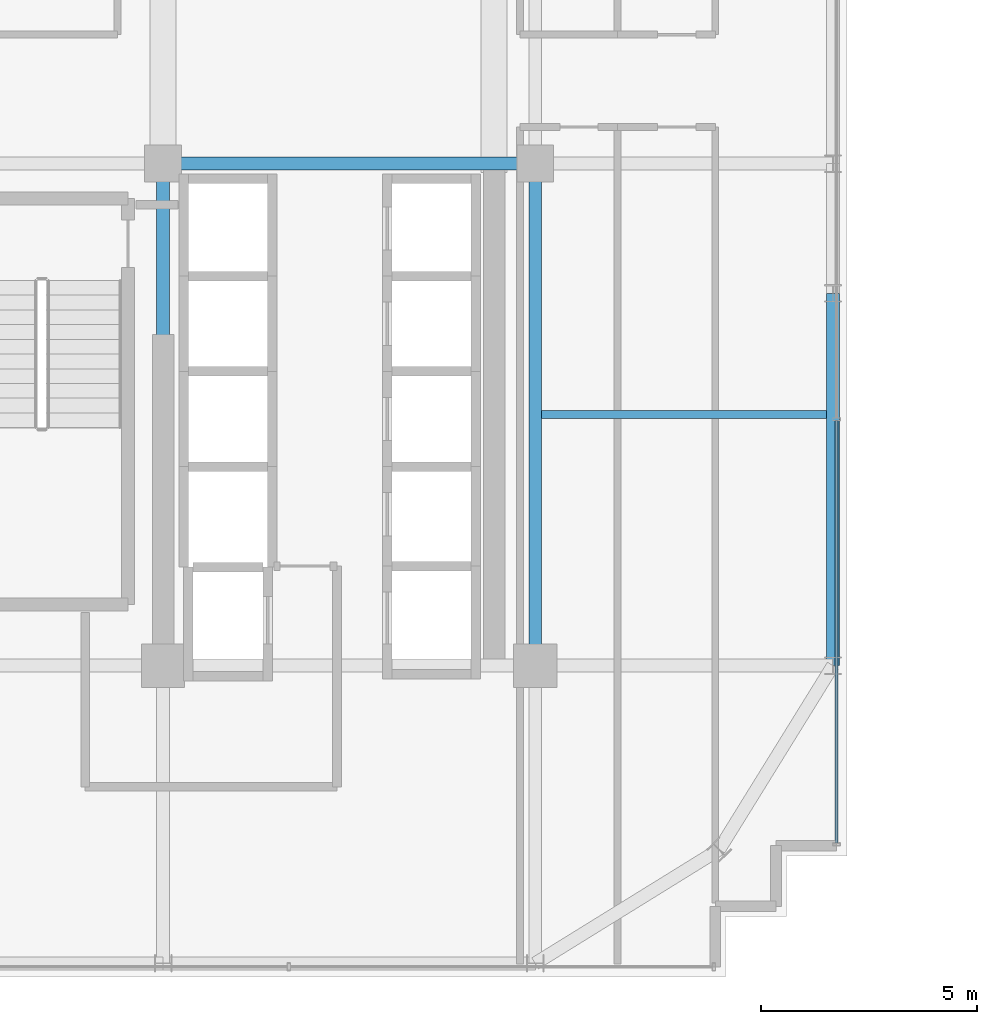
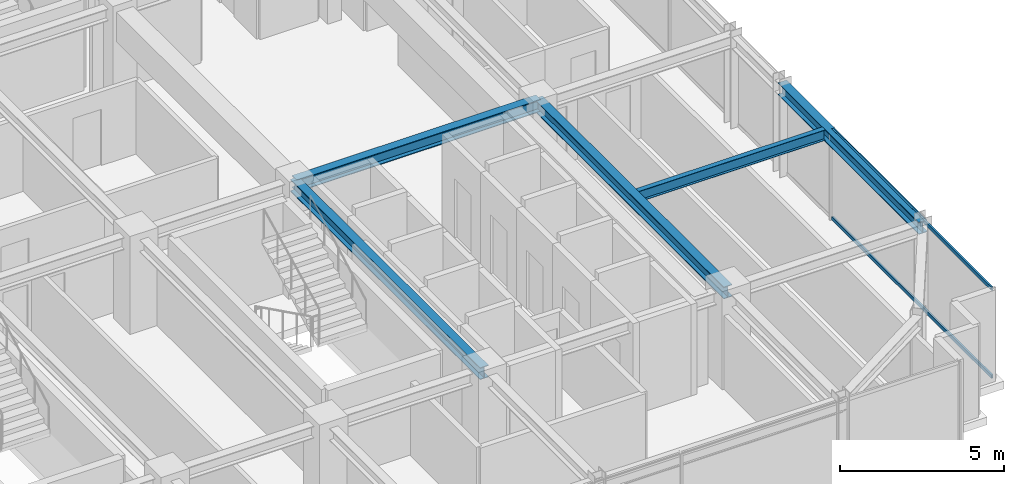
# One storey, part 14 of 36: 5 beams, 2 members, 1 element without a shape of its own.
"""IFC4 building model written with IfcOpenShell, lengths in metres."""

from ifc_helpers import new_model, si_unit, direction, frame, origin, origin_2d, place, context, subcontext, project, spatial, hollow_rectangle, i_section, extrude, source, transform, mapped, material, material_profile, profile_set, type_object, element, aggregate, save


model = new_model("IFC4")

# Units and contexts
model_context = context("Model", 3, precision=1e-05, world=origin(), true_north=direction((0.0, 1.0)))
body_context = subcontext(model_context, "Body", "Model", "MODEL_VIEW")
ifc_project = project(units=[si_unit("LENGTHUNIT", "METRE"), si_unit("AREAUNIT", "SQUARE_METRE"), si_unit("VOLUMEUNIT", "CUBIC_METRE"), si_unit("PLANEANGLEUNIT", "RADIAN"), si_unit("MASSUNIT", "GRAM", prefix="KILO")], contexts=[model_context])

# Site, building, storey
site_placement = place(None, origin())
site = spatial("IfcSite", under=ifc_project, at=site_placement, CompositionType="ELEMENT")
building_placement = place(site_placement, origin())
building = spatial("IfcBuilding", under=site, at=building_placement, Name="Nahalor Promenade Grand Hotel", CompositionType="ELEMENT")
storey_placement = place(building_placement, frame((0.0, 0.0, 223.39990234375)))
storey = spatial("IfcBuildingStorey", under=building, at=storey_placement, Name="L57", CompositionType="ELEMENT", Elevation=223.39990234375)

# Beams
ifc_material_1 = material(Name="Steel S355JR", Category="steel")
ifc_material_profile_1 = material_profile(ifc_material_1, i_section(OverallWidth=0.3, OverallDepth=0.45, WebThickness=0.014, FlangeThickness=0.026, at=origin_2d()), Name="HEB 450")
ifc_profile_set_1 = profile_set([ifc_material_profile_1], Name="Steel S355JR")
beam_type_1 = type_object("IfcBeamType", Name="Beam-Spandrel-HEB450", PredefinedType="SPANDREL", material=ifc_profile_set_1)
shared_shape_1 = source(origin(), body_context, "Body", "SweptSolid", [
    extrude(i_section(OverallWidth=0.3, OverallDepth=0.45, WebThickness=0.014, FlangeThickness=0.026, at=origin_2d()), origin(), (0.0, 0.0, 1.0), 8.60009765625),
])
beam_1_placement = place(storey_placement, frame((23.8798828125, -17.0, 3.18505859375), z_axis=(0.0, 1.0, 0.0), x_axis=(-1.0, 0.0, 0.0)))
element("IfcBeam", 1, at=beam_1_placement, inside=storey, type_object=beam_type_1, Name="BM-L57-SP-E-0", PredefinedType="SPANDREL", context=body_context, shape_type="MappedRepresentation", body=[
    mapped(shared_shape_1, transform((0.0, 0.0, 0.0), scale=1.0)),
])
ifc_material_profile_2 = material_profile(ifc_material_1, i_section(OverallWidth=0.3, OverallDepth=0.45, WebThickness=0.014, FlangeThickness=0.026, at=origin_2d()), Name="HEB 450")
ifc_profile_set_2 = profile_set([ifc_material_profile_2], Name="Steel S355JR")
beam_type_2 = type_object("IfcBeamType", Name="Beam-Girder-HEB450", PredefinedType="BEAM", material=ifc_profile_set_2)
shared_shape_2 = source(origin(), body_context, "Body", "SweptSolid", [
    extrude(i_section(OverallWidth=0.3, OverallDepth=0.45, WebThickness=0.014, FlangeThickness=0.026, at=origin_2d()), origin(), (0.0, 0.0, 1.0), 8.60009765625),
])
beam_2_placement = place(storey_placement, frame((8.39990234375, -5.39990234375, 3.18505859375), z_axis=(1.0, 0.0, 0.0), x_axis=(0.0, 1.0, 0.0)))
element("IfcBeam", 2, at=beam_2_placement, inside=storey, type_object=beam_type_2, Name="BM-L57-GX-1-5", PredefinedType="BEAM", context=body_context, shape_type="MappedRepresentation", body=[
    mapped(shared_shape_2, transform((0.0, 0.0, 0.0), scale=1.0)),
])
shared_shape_3 = source(origin(), body_context, "Body", "SweptSolid", [
    extrude(i_section(OverallWidth=0.3, OverallDepth=0.45, WebThickness=0.014, FlangeThickness=0.026, at=origin_2d()), origin(), (0.0, 0.0, 1.0), 11.60009765625),
])
for number, where, z_axis, x_axis, name in (
    (3, (8.39990234375, -17.0, 3.18505859375), (0.0, 1.0, 0.0), (-1.0, 0.0, 0.0), "BM-L57-GY-4-1"),
    (4, (17.0, -17.0, 3.18505859375), (0.0, 1.0, 0.0), (-1.0, 0.0, 0.0), "BM-L57-GY-5-1"),
):
    element("IfcBeam", number, at=place(storey_placement, frame(where, z_axis=z_axis, x_axis=x_axis)), inside=storey, type_object=beam_type_2, Name=name, PredefinedType="BEAM", context=body_context, shape_type="MappedRepresentation", body=[
        mapped(shared_shape_3, transform((0.0, 0.0, 0.0), scale=1.0)),
    ])
ifc_material_profile_3 = material_profile(ifc_material_1, i_section(OverallWidth=0.18, OverallDepth=0.4, WebThickness=0.0086, FlangeThickness=0.0135, at=origin_2d()), Name="IPE 400")
ifc_profile_set_3 = profile_set([ifc_material_profile_3], Name="Steel S355JR")
beam_type_3 = type_object("IfcBeamType", Name="Beam-Joist-IPE400", PredefinedType="JOIST", material=ifc_profile_set_3)
shared_shape_4 = source(origin(), body_context, "Body", "SweptSolid", [
    extrude(i_section(OverallWidth=0.18, OverallDepth=0.4, WebThickness=0.0086, FlangeThickness=0.0135, at=origin_2d()), origin(), (0.0, 0.0, 1.0), 6.580078125),
])
beam_3_placement = place(storey_placement, frame((17.14990234375, -11.199951171875, 3.210205078125), z_axis=(1.0, 0.0, 0.0), x_axis=(0.0, 1.0, 0.0)))
element("IfcBeam", 5, at=beam_3_placement, inside=storey, type_object=beam_type_3, Name="BM-L57-JSE-0-2", PredefinedType="JOIST", context=body_context, shape_type="MappedRepresentation", body=[
    mapped(shared_shape_4, transform((0.0, 0.0, 0.0), scale=1.0)),
])

# Curtain wall, members
ifc_material_2 = material(Name="Anodised Bronze Aluminium EN AW-6063 T6", Category="aluminium")
curtain_wall_type = type_object("IfcCurtainWallType", Name="CW2 Typical Hotel Flush Bronze Unitised Curtain Wall", PredefinedType="USERDEFINED", material=ifc_material_2)
curtain_wall_placement = place(storey_placement, origin())
curtain_wall = element("IfcCurtainWall", 6, at=curtain_wall_placement, inside=storey, type_object=curtain_wall_type, Name="L57 Curtain Wall CW-L57-E-1", ObjectType="UNITISED_CURTAIN_WALL", PredefinedType="USERDEFINED")
ifc_material_profile_4 = material_profile(ifc_material_2, hollow_rectangle(XDim=0.065, YDim=0.13, WallThickness=0.004, at=origin_2d()), Name="CWT 65x130x4")
ifc_profile_set_4 = profile_set([ifc_material_profile_4], Name="Anodised Bronze Aluminium EN AW-6063 T6")
member_type = type_object("IfcMemberType", Name="CWT2 Typical Bronze Transom 65x130", PredefinedType="USERDEFINED", material=ifc_profile_set_4)
shared_shape_5 = source(origin(), body_context, "Body", "SweptSolid", [
    extrude(hollow_rectangle(XDim=0.065, YDim=0.13, WallThickness=0.004, at=origin_2d()), origin(), (0.0, 0.0, 1.0), 9.755859375),
])
member_1_placement = place(storey_placement, frame((23.9599609375, -21.094970703125, 0.065185546875), z_axis=(0.0, 1.0, 0.0), x_axis=(-1.0, 0.0, 0.0)))
member_1 = element("IfcMember", 7, at=member_1_placement, type_object=member_type, Name="CW-L57-E-1 Transom 0-0", ObjectType="TRANSOM", PredefinedType="USERDEFINED", context=body_context, shape_type="MappedRepresentation", body=[
    mapped(shared_shape_5, transform((0.0, 0.0, 0.0), scale=1.0)),
])
member_2_placement = place(storey_placement, frame((23.9599609375, -21.094970703125, 3.34521484375), z_axis=(0.0, 1.0, 0.0), x_axis=(-1.0, 0.0, 0.0)))
member_2 = element("IfcMember", 8, at=member_2_placement, type_object=member_type, Name="CW-L57-E-1 Transom 0-1", ObjectType="TRANSOM", PredefinedType="USERDEFINED", context=body_context, shape_type="MappedRepresentation", body=[
    mapped(shared_shape_5, transform((0.0, 0.0, 0.0), scale=1.0)),
])
aggregate(curtain_wall, [member_1, member_2])

save(model, "model.ifc")
